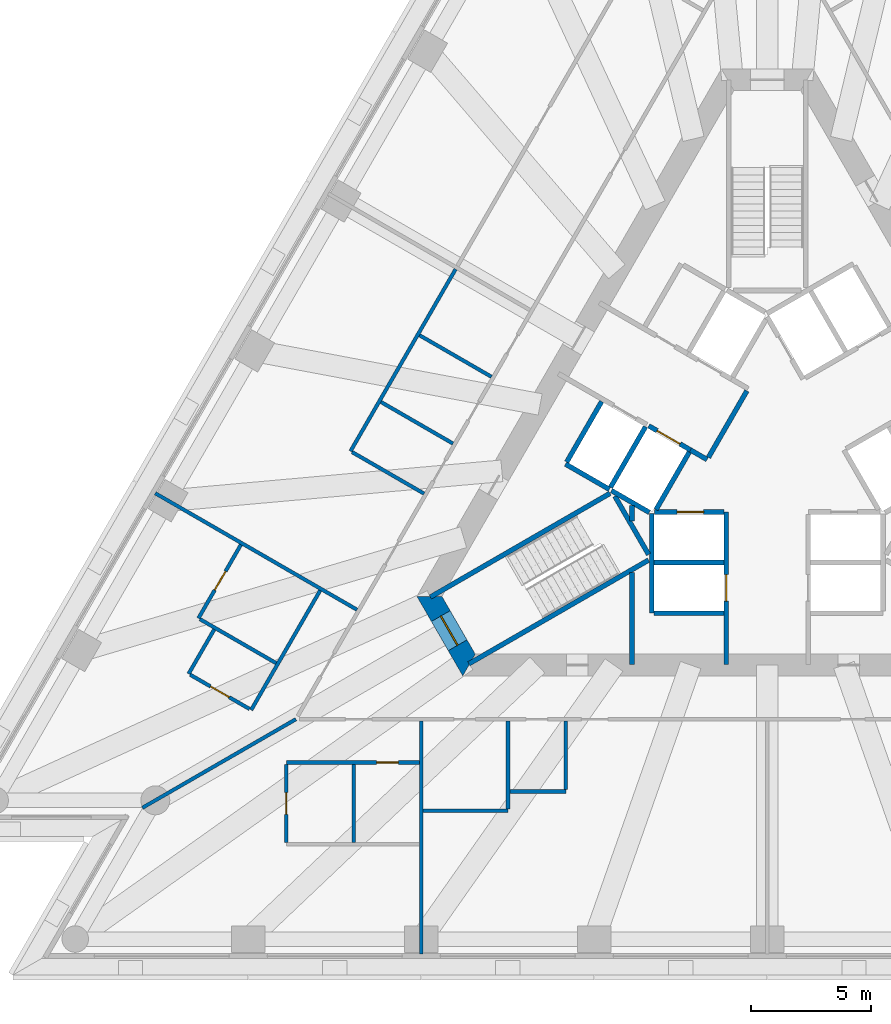
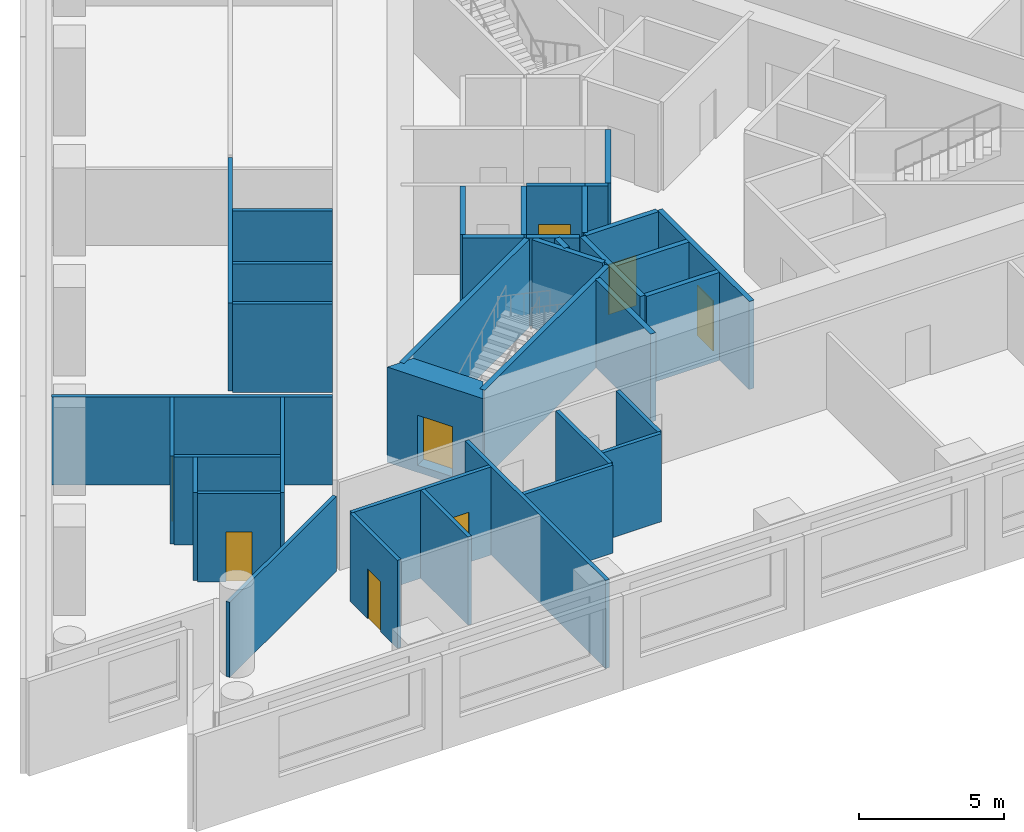
# One storey, part 3 of 11: 38 walls, 8 doors, 8 openings.
"""IFC4 building model written with IfcOpenShell, lengths in metres."""

from ifc_helpers import new_model, si_unit, direction, frame, frame_2d, origin, place, context, subcontext, project, spatial, polyline, rectangle, outline, extrude, material, layer, layer_set, type_object, element, fill, save


model = new_model("IFC4")

# Units and contexts
model_context = context("Model", 3, precision=1e-05, world=origin(), true_north=direction((0.0, 1.0)))
body_context = subcontext(model_context, "Body", "Model", "MODEL_VIEW")
ifc_project = project(units=[si_unit("LENGTHUNIT", "METRE"), si_unit("AREAUNIT", "SQUARE_METRE"), si_unit("VOLUMEUNIT", "CUBIC_METRE"), si_unit("PLANEANGLEUNIT", "RADIAN"), si_unit("MASSUNIT", "GRAM", prefix="KILO")], contexts=[model_context])

# Site, building, storey
site_placement = place(None, origin())
site = spatial("IfcSite", under=ifc_project, at=site_placement, CompositionType="ELEMENT")
building_placement = place(site_placement, origin())
building = spatial("IfcBuilding", under=site, at=building_placement, Name="Triada Interchange Tower", CompositionType="ELEMENT")
storey_placement = place(building_placement, frame((0.0, 0.0, 83.300048828125)))
storey = spatial("IfcBuildingStorey", under=building, at=storey_placement, Name="L18", CompositionType="ELEMENT", Elevation=83.300048828125)

# Walls
ifc_material_1 = material(Name="Concrete C30/37", Category="concrete")
ifc_layer_1 = layer(ifc_material_1, 0.199951171875)
ifc_layer_set_1 = layer_set([ifc_layer_1], Name="CORE WALL 200 EI 120")
wall_type_1 = type_object("IfcWallType", Name="CORE WALL 200 EI 120", PredefinedType="SOLIDWALL", material=ifc_layer_set_1)
wall_1_placement = place(storey_placement, frame((-8.3759765625, -0.70703125, 0.0), z_axis=(0.0, 0.0, 1.0), x_axis=(0.866067520717, -0.499927044236, 0.0)))
element("IfcWall", 1, at=wall_1_placement, inside=storey, type_object=wall_type_1, Name="Wall L18 42", PredefinedType="SOLIDWALL", context=body_context, shape_type="SweptSolid", body=[
    extrude(rectangle(XDim=2.100341796875, YDim=0.199951171875, at=frame_2d((1.05029296875, 0.0))), origin(), (0.0, 0.0, 1.0), 3.699951171875),
])
wall_2_placement = place(storey_placement, frame((-8.325927734375, -0.6201171875, 0.0), z_axis=(0.0, 0.0, 1.0), x_axis=(0.500023687443, 0.866011727401, 0.0)))
element("IfcWall", 2, at=wall_2_placement, inside=storey, type_object=wall_type_1, Name="Wall L18 43", PredefinedType="SOLIDWALL", context=body_context, shape_type="SweptSolid", body=[
    extrude(rectangle(XDim=2.899658203125, YDim=0.199951171875, at=frame_2d((1.44970703125, 0.0))), origin(), (0.0, 0.0, 1.0), 3.699951171875),
])
wall_3_placement = place(storey_placement, frame((-4.699951171875, -4.800048828125, 0.0), z_axis=(0.0, 0.0, 1.0), x_axis=(1.0, 0.0, 0.0)))
element("IfcWall", 3, at=wall_3_placement, inside=storey, type_object=wall_type_1, Name="Wall L18 44", PredefinedType="SOLIDWALL", context=body_context, shape_type="SweptSolid", body=[
    extrude(rectangle(XDim=2.89990234375, YDim=0.199951171875, at=frame_2d((1.449951171875, 0.0))), origin(), (0.0, 0.0, 1.0), 3.699951171875),
])
wall_4_placement = place(storey_placement, frame((-4.800048828125, -6.89990234375, 0.0), z_axis=(0.0, 0.0, 1.0), x_axis=(0.0, 1.0, 0.0)))
element("IfcWall", 4, at=wall_4_placement, inside=storey, type_object=wall_type_1, Name="Wall L18 46", PredefinedType="SOLIDWALL", context=body_context, shape_type="SweptSolid", body=[
    extrude(rectangle(XDim=4.130859375, YDim=0.199951171875, at=frame_2d((2.0654296875, 0.0))), origin(), (0.0, 0.0, 1.0), 3.699951171875),
])
wall_5_placement = place(storey_placement, frame((-4.699951171875, -6.89990234375, 0.0), z_axis=(0.0, 0.0, 1.0), x_axis=(1.0, 0.0, 0.0)))
element("IfcWall", 5, at=wall_5_placement, inside=storey, type_object=wall_type_1, Name="Wall L18 47", PredefinedType="SOLIDWALL", context=body_context, shape_type="SweptSolid", body=[
    extrude(rectangle(XDim=2.89990234375, YDim=0.199951171875, at=frame_2d((1.449951171875, 0.0))), origin(), (0.0, 0.0, 1.0), 3.699951171875),
])

# Wall, opening, door
wall_6_placement = place(storey_placement, frame((-1.699951171875, -9.030029296875, 0.0), z_axis=(0.0, 0.0, 1.0), x_axis=(0.0, 1.0, 0.0)))
wall_6 = element("IfcWall", 6, at=wall_6_placement, inside=storey, type_object=wall_type_1, Name="Wall L18 49", PredefinedType="SOLIDWALL", context=body_context, shape_type="SweptSolid", body=[
    extrude(rectangle(XDim=6.3271484375, YDim=0.199951171875, at=frame_2d((3.16357421875, 0.0))), origin(), (0.0, 0.0, 1.0), 3.699951171875),
])
opening_1_placement = place(wall_6_placement, frame((2.6298828125, 0.0, 0.0)))
opening_1 = element("IfcOpeningElement", 7, at=opening_1_placement, cuts=wall_6, Name="Opening LD-LR4", PredefinedType="OPENING", context=body_context, shape_type="SweptSolid", body=[
    extrude(rectangle(XDim=1.10009765625, YDim=2.10009765625, at=frame_2d((0.550048828125, 1.050048828125))), frame((0.0, 0.10986328125, 0.0), z_axis=(0.0, -1.0, 0.0), x_axis=(1.0, 0.0, 0.0)), (0.0, 0.0, 1.0), 0.219970703125),
])
ifc_material_2 = material(Name="Steel S235 door leaf", Category="steel")
door_type_1 = type_object("IfcDoorType", Name="LIFT LANDING DOOR 1100 EI 120", OperationType="SLIDING_TO_LEFT", PredefinedType="DOOR", material=ifc_material_2)
door_1_placement = place(opening_1_placement, origin())
door_1 = element("IfcDoor", 8, at=door_1_placement, inside=storey, type_object=door_type_1, Name="LR4 landing door L18", OperationType="SLIDING_TO_LEFT", OverallHeight=2.10009765625, OverallWidth=1.10009765625, PredefinedType="DOOR", context=body_context, shape_type="SweptSolid", body=[
    extrude(rectangle(XDim=1.10009765625, YDim=2.10009765625, at=frame_2d((0.550048828125, 1.050048828125))), frame((0.0, 0.02490234375, 0.0), z_axis=(0.0, -1.0, 0.0), x_axis=(1.0, 0.0, 0.0)), (0.0, 0.0, 1.0), 0.050048828125),
])
fill(opening_1, door_1)

wall_7_placement = place(storey_placement, frame((-4.676025390625, -2.699951171875, 0.0), z_axis=(0.0, 0.0, 1.0), x_axis=(1.0, 0.0, 0.0)))
wall_7 = element("IfcWall", 9, at=wall_7_placement, inside=storey, type_object=wall_type_1, Name="Wall L18 50", PredefinedType="SOLIDWALL", context=body_context, shape_type="SweptSolid", body=[
    extrude(rectangle(XDim=2.873046875, YDim=0.199951171875, at=frame_2d((1.4365234375, 0.0))), origin(), (0.0, 0.0, 1.0), 3.699951171875),
])
opening_2_placement = place(wall_7_placement, frame((0.93701171875, 0.0, 0.0)))
opening_2 = element("IfcOpeningElement", 10, at=opening_2_placement, cuts=wall_7, Name="Opening LD-LR3", PredefinedType="OPENING", context=body_context, shape_type="SweptSolid", body=[
    extrude(rectangle(XDim=1.10009765625, YDim=2.10009765625, at=frame_2d((0.550048828125, 1.050048828125))), frame((0.0, 0.10986328125, 0.0), z_axis=(0.0, -1.0, 0.0), x_axis=(1.0, 0.0, 0.0)), (0.0, 0.0, 1.0), 0.219970703125),
])
door_2_placement = place(opening_2_placement, origin())
door_2 = element("IfcDoor", 11, at=door_2_placement, inside=storey, type_object=door_type_1, Name="LR3 landing door L18", OperationType="SLIDING_TO_LEFT", OverallHeight=2.10009765625, OverallWidth=1.10009765625, PredefinedType="DOOR", context=body_context, shape_type="SweptSolid", body=[
    extrude(rectangle(XDim=1.10009765625, YDim=2.10009765625, at=frame_2d((0.550048828125, 1.050048828125))), frame((0.0, 0.02490234375, 0.0), z_axis=(0.0, -1.0, 0.0), x_axis=(1.0, 0.0, 0.0)), (0.0, 0.0, 1.0), 0.050048828125),
])
fill(opening_2, door_2)

# Walls
ifc_layer_2 = layer(ifc_material_1, 0.199951171875)
ifc_layer_set_2 = layer_set([ifc_layer_2], Name="CORE WALL 200 EI 180")
wall_type_2 = type_object("IfcWallType", Name="CORE WALL 200 EI 180", PredefinedType="SOLIDWALL", material=ifc_layer_set_2)
wall_8_placement = place(storey_placement, frame((-3.18798828125, -0.1220703125, 0.0), z_axis=(0.0, 0.0, 1.0), x_axis=(0.865705793592, -0.50055317294, 0.0)))
element("IfcWall", 12, at=wall_8_placement, inside=storey, type_object=wall_type_2, Name="Wall L18 65", PredefinedType="SOLIDWALL", context=body_context, shape_type="SweptSolid", body=[
    extrude(rectangle(XDim=0.796875, YDim=0.199951171875, at=frame_2d((0.3984375, 0.0))), origin(), (0.0, 0.0, 1.0), 3.699951171875),
])
wall_9_placement = place(storey_placement, frame((-2.444091796875, -0.43310546875, 0.0), z_axis=(0.0, 0.0, 1.0), x_axis=(0.500035624827, 0.866004834804, 0.0)))
element("IfcWall", 13, at=wall_9_placement, inside=storey, type_object=wall_type_2, Name="Wall L18 70", PredefinedType="SOLIDWALL", context=body_context, shape_type="SweptSolid", body=[
    extrude(rectangle(XDim=3.194091796875, YDim=0.199951171875, at=frame_2d((1.59716796875, 0.0))), origin(), (0.0, 0.0, 1.0), 3.699951171875),
])
wall_10_placement = place(storey_placement, frame((-6.507080078125, -1.669921875, 0.0), z_axis=(0.0, 0.0, 1.0), x_axis=(0.50012328804, 0.865954211699, 0.0)))
element("IfcWall", 14, at=wall_10_placement, inside=storey, type_object=wall_type_2, Name="Shaft wall FF1 L18 71", PredefinedType="SOLIDWALL", context=body_context, shape_type="SweptSolid", body=[
    extrude(rectangle(XDim=2.899658203125, YDim=0.199951171875, at=frame_2d((1.44970703125, 0.0))), origin(), (0.0, 0.0, 1.0), 3.699951171875),
])
wall_11_placement = place(storey_placement, frame((-6.469970703125, -1.806884765625, 0.0), z_axis=(0.0, 0.0, 1.0), x_axis=(0.865883195159, -0.500246231712, 0.0)))
element("IfcWall", 15, at=wall_11_placement, inside=storey, type_object=wall_type_2, Name="Shaft wall FF1 L18 72", PredefinedType="SOLIDWALL", context=body_context, shape_type="SweptSolid", body=[
    extrude(rectangle(XDim=1.8154296875, YDim=0.199951171875, at=frame_2d((0.90771484375, 0.0))), origin(), (0.0, 0.0, 1.0), 3.699951171875),
])

# Wall, opening, door
wall_12_placement = place(storey_placement, frame((-4.922119140625, 0.87890625, 0.0), z_axis=(0.0, 0.0, 1.0), x_axis=(0.866073918653, -0.499915960366, 0.0)))
wall_12 = element("IfcWall", 16, at=wall_12_placement, inside=storey, type_object=wall_type_2, Name="Shaft wall FF1 L18 73", PredefinedType="SOLIDWALL", context=body_context, shape_type="SweptSolid", body=[
    extrude(rectangle(XDim=2.002197265625, YDim=0.199951171875, at=frame_2d((1.0009765625, 0.0))), origin(), (0.0, 0.0, 1.0), 3.699951171875),
])
opening_3_placement = place(wall_12_placement, frame((0.402099609375, 0.0, 0.0)))
opening_3 = element("IfcOpeningElement", 17, at=opening_3_placement, cuts=wall_12, Name="Opening LD-FF1", PredefinedType="OPENING", context=body_context, shape_type="SweptSolid", body=[
    extrude(rectangle(XDim=1.10009765625, YDim=2.10009765625, at=frame_2d((0.550048828125, 1.050048828125))), frame((0.0, 0.10986328125, 0.0), z_axis=(0.0, -1.0, 0.0), x_axis=(1.0, 0.0, 0.0)), (0.0, 0.0, 1.0), 0.219970703125),
])
door_3_placement = place(opening_3_placement, origin())
door_3 = element("IfcDoor", 18, at=door_3_placement, inside=storey, type_object=door_type_1, Name="FF1 landing door L18", OperationType="SLIDING_TO_LEFT", OverallHeight=2.10009765625, OverallWidth=1.10009765625, PredefinedType="DOOR", context=body_context, shape_type="SweptSolid", body=[
    extrude(rectangle(XDim=1.10009765625, YDim=2.10009765625, at=frame_2d((0.550048828125, 1.050048828125))), frame((0.0, 0.02490234375, 0.0), z_axis=(0.0, -1.0, 0.0), x_axis=(1.0, 0.0, 0.0)), (0.0, 0.0, 1.0), 0.050048828125),
])
fill(opening_3, door_3)

# Walls
wall_13_placement = place(storey_placement, frame((-4.618896484375, -2.60009765625, 0.0), z_axis=(0.0, 0.0, 1.0), x_axis=(0.50009492287, 0.865970593103, 0.0)))
element("IfcWall", 19, at=wall_13_placement, inside=storey, type_object=wall_type_2, Name="Shaft wall FF1 L18 74", PredefinedType="SOLIDWALL", context=body_context, shape_type="SweptSolid", body=[
    extrude(rectangle(XDim=2.76123046875, YDim=0.199951171875, at=frame_2d((1.380615234375, 0.0))), origin(), (0.0, 0.0, 1.0), 3.699951171875),
])
ifc_layer_3 = layer(ifc_material_1, 0.199951171875)
ifc_layer_set_3 = layer_set([ifc_layer_3], Name="CORE WALL 200 EI 90")
wall_type_3 = type_object("IfcWallType", Name="CORE WALL 200 EI 90", PredefinedType="SOLIDWALL", material=ifc_layer_set_3)
wall_14_placement = place(storey_placement, frame((-5.612060546875, -9.030029296875, 0.0), z_axis=(0.0, 0.0, 1.0), x_axis=(0.0, 1.0, 0.0)))
element("IfcWall", 20, at=wall_14_placement, inside=storey, type_object=wall_type_3, Name="Wall L18 79", PredefinedType="SOLIDWALL", context=body_context, shape_type="SweptSolid", body=[
    extrude(rectangle(XDim=3.8271484375, YDim=0.199951171875, at=frame_2d((1.91357421875, 0.0))), origin(), (0.0, 0.0, 1.0), 3.699951171875),
])
wall_15_placement = place(storey_placement, frame((-5.612060546875, -3.080078125, 0.0), z_axis=(0.0, 0.0, 1.0), x_axis=(0.0, 1.0, 0.0)))
element("IfcWall", 21, at=wall_15_placement, inside=storey, type_object=wall_type_3, Name="Wall L18 80", PredefinedType="SOLIDWALL", context=body_context, shape_type="SweptSolid", body=[
    extrude(rectangle(XDim=0.662109375, YDim=0.199951171875, at=frame_2d((0.3310546875, 0.0))), origin(), (0.0, 0.0, 1.0), 3.699951171875),
])
ifc_layer_4 = layer(ifc_material_1, 0.199951171875)
ifc_layer_set_4 = layer_set([ifc_layer_4], Name="CORE WALL 200 REI 240")
wall_type_4 = type_object("IfcWallType", Name="CORE WALL 200 REI 240", PredefinedType="SOLIDWALL", material=ifc_layer_set_4)
wall_16_placement = place(storey_placement, frame((-13.989990234375, -6.22900390625, 0.0), z_axis=(0.0, 0.0, 1.0), x_axis=(0.866060059011, 0.499939970583, 0.0)))
element("IfcWall", 22, at=wall_16_placement, inside=storey, type_object=wall_type_4, Name="Wall L18 81", PredefinedType="SOLIDWALL", context=body_context, shape_type="SweptSolid", body=[
    extrude(rectangle(XDim=8.61474609375, YDim=0.199951171875, at=frame_2d((4.307373046875, 0.0))), origin(), (0.0, 0.0, 1.0), 3.699951171875),
])
wall_17_placement = place(storey_placement, frame((-6.3291015625, -2.0380859375, 0.0), z_axis=(0.0, 0.0, 1.0), x_axis=(0.500200581029, -0.865909567298, 0.0)))
element("IfcWall", 23, at=wall_17_placement, inside=storey, type_object=wall_type_4, Name="Wall L18 82", PredefinedType="SOLIDWALL", context=body_context, shape_type="SweptSolid", body=[
    extrude(rectangle(XDim=2.799072265625, YDim=0.199951171875, at=frame_2d((1.3994140625, 0.0))), origin(), (0.0, 0.0, 1.0), 3.699951171875),
])
wall_18_placement = place(storey_placement, frame((-12.389892578125, -9.0009765625, 0.0), z_axis=(0.0, 0.0, 1.0), x_axis=(0.866010975815, 0.500024989144, 0.0)))
element("IfcWall", 24, at=wall_18_placement, inside=storey, type_object=wall_type_4, Name="Wall L18 83", PredefinedType="SOLIDWALL", context=body_context, shape_type="SweptSolid", body=[
    extrude(rectangle(XDim=8.615234375, YDim=0.199951171875, at=frame_2d((4.3076171875, 0.0))), origin(), (0.0, 0.0, 1.0), 3.699951171875),
])

# Wall, opening, door
ifc_material_3 = material(Name="Concrete C70/85", Category="concrete")
ifc_layer_5 = layer(ifc_material_3, 0.89990234375)
ifc_layer_set_5 = layer_set([ifc_layer_5], Name="Core wall A 900")
wall_type_5 = type_object("IfcWallType", Name="Core wall A 900", PredefinedType="SHEAR", material=ifc_layer_set_5)
wall_19_placement = place(storey_placement, frame((-14.030029296875, -6.199951171875, -0.300048828125), z_axis=(0.0, 0.0, 1.0), x_axis=(0.500111984565, -0.865960739811, 0.0)))
wall_19 = element("IfcWall", 25, at=wall_19_placement, inside=storey, type_object=wall_type_5, Name="Core wall WA03 L18", PredefinedType="SHEAR", context=body_context, shape_type="SweptSolid", body=[
    extrude(outline(polyline([(-0.260009765625, -0.448974609375), (1.6455078125, -0.449462890625), (3.551025390625, -0.449951171875), (3.031982421875, 0.449951171875), (1.64599609375, 0.449951171875), (0.260009765625, 0.449951171875), (-0.260009765625, -0.448974609375)])), origin(), (0.0, 0.0, 1.0), 4.0),
])
opening_4_placement = place(wall_19_placement, frame((0.946044921875, 0.0, 0.300048828125)))
opening_4 = element("IfcOpeningElement", 26, at=opening_4_placement, cuts=wall_19, Name="Opening D18-40", PredefinedType="OPENING", context=body_context, shape_type="SweptSolid", body=[
    extrude(rectangle(XDim=1.39990234375, YDim=2.10009765625, at=frame_2d((0.699951171875, 1.050048828125))), frame((0.0, 0.4599609375, 0.0), z_axis=(0.0, -1.0, 0.0), x_axis=(1.0, 0.0, 0.0)), (0.0, 0.0, 1.0), 0.919921875),
])
door_type_2 = type_object("IfcDoorType", Name="STAIR DOOR 1400 EI2 90-C5S200", OperationType="DOUBLE_DOOR_SINGLE_SWING", PredefinedType="DOOR", material=ifc_material_2)
door_4_placement = place(opening_4_placement, origin())
door_4 = element("IfcDoor", 27, at=door_4_placement, inside=storey, type_object=door_type_2, Name="Door D18-40 L18", OperationType="DOUBLE_DOOR_SINGLE_SWING", OverallHeight=2.10009765625, OverallWidth=1.39990234375, PredefinedType="DOOR", context=body_context, shape_type="SweptSolid", body=[
    extrude(rectangle(XDim=1.39990234375, YDim=2.10009765625, at=frame_2d((0.699951171875, 1.050048828125))), frame((0.0, 0.02490234375, 0.0), z_axis=(0.0, -1.0, 0.0), x_axis=(1.0, 0.0, 0.0)), (0.0, 0.0, 1.0), 0.050048828125),
])
fill(opening_4, door_4)

# Walls
ifc_material_4 = material(Name="Gypsum board partition")
ifc_layer_6 = layer(ifc_material_4, 0.14990234375)
ifc_layer_set_6 = layer_set([ifc_layer_6], Name="PARTITION 150 EI 180")
wall_type_6 = type_object("IfcWallType", Name="PARTITION 150 EI 180", PredefinedType="PARTITIONING", material=ifc_layer_set_6)
wall_20_placement = place(storey_placement, frame((-25.946044921875, -14.97998046875, 0.0), z_axis=(0.0, 0.0, 1.0), x_axis=(0.866032022822, 0.499988535315, 0.0)))
element("IfcWall", 28, at=wall_20_placement, inside=storey, type_object=wall_type_6, Name="Wall L18 1", PredefinedType="PARTITIONING", context=body_context, shape_type="SweptSolid", body=[
    extrude(rectangle(XDim=7.360107421875, YDim=0.14990234375, at=frame_2d((3.68017578125, 0.0))), origin(), (0.0, 0.0, 1.0), 3.14990234375),
])
wall_21_placement = place(storey_placement, frame((-25.4130859375, -1.91796875, 0.0), z_axis=(0.0, 0.0, 1.0), x_axis=(0.866035557451, -0.499982412921, 0.0)))
element("IfcWall", 29, at=wall_21_placement, inside=storey, type_object=wall_type_6, Name="Wall L18 2", PredefinedType="PARTITIONING", context=body_context, shape_type="SweptSolid", body=[
    extrude(rectangle(XDim=9.674072265625, YDim=0.14990234375, at=frame_2d((4.8369140625, 0.0))), origin(), (0.0, 0.0, 1.0), 3.699951171875),
])
wall_22_placement = place(storey_placement, frame((-17.303955078125, -0.1708984375, 0.0), z_axis=(0.0, 0.0, 1.0), x_axis=(0.500054279689, 0.865994063124, 0.0)))
element("IfcWall", 30, at=wall_22_placement, inside=storey, type_object=wall_type_6, Name="Wall L18 7", PredefinedType="PARTITIONING", context=body_context, shape_type="SweptSolid", body=[
    extrude(rectangle(XDim=8.72509765625, YDim=0.14990234375, at=frame_2d((4.362548828125, 0.0))), origin(), (0.0, 0.0, 1.0), 3.699951171875),
])
for number, where, z_axis, x_axis, name in (
    (31, (-17.239013671875, -0.208984375, 0.0), (0.0, 0.0, 1.0), (0.866031223622, -0.49998991961, 0.0), "Wall L18 8"),
    (32, (-16.0390625, 1.8701171875, 0.0), (0.0, 0.0, 1.0), (0.866031223622, -0.49998991961, 0.0), "Wall L18 9"),
    (33, (-14.43896484375, 4.64111328125, 0.0), (0.0, 0.0, 1.0), (0.866031223622, -0.49998991961, 0.0), "Wall L18 10"),
):
    element("IfcWall", number, at=place(storey_placement, frame(where, z_axis=z_axis, x_axis=x_axis)), inside=storey, type_object=wall_type_6, Name=name, PredefinedType="PARTITIONING", context=body_context, shape_type="SweptSolid", body=[
        extrude(rectangle(XDim=3.4501953125, YDim=0.14990234375, at=frame_2d((1.72509765625, 0.0))), origin(), (0.0, 0.0, 1.0), 3.699951171875),
    ])
wall_23_placement = place(storey_placement, frame((-14.366943359375, -21.049072265625, 0.0), z_axis=(0.0, 0.0, 1.0), x_axis=(0.0, 1.0, 0.0)))
element("IfcWall", 34, at=wall_23_placement, inside=storey, type_object=wall_type_6, Name="Wall L18 11", PredefinedType="PARTITIONING", context=body_context, shape_type="SweptSolid", body=[
    extrude(rectangle(XDim=9.674072265625, YDim=0.14990234375, at=frame_2d((4.8369140625, 0.0))), origin(), (0.0, 0.0, 1.0), 3.699951171875),
])
wall_24_placement = place(storey_placement, frame((-14.2919921875, -15.10009765625, 0.0), z_axis=(0.0, 0.0, 1.0), x_axis=(1.0, 0.0, 0.0)))
element("IfcWall", 35, at=wall_24_placement, inside=storey, type_object=wall_type_6, Name="Wall L18 12", PredefinedType="PARTITIONING", context=body_context, shape_type="SweptSolid", body=[
    extrude(rectangle(XDim=3.52490234375, YDim=0.14990234375, at=frame_2d((1.762451171875, 0.0))), origin(), (0.0, 0.0, 1.0), 3.699951171875),
])
wall_25_placement = place(storey_placement, frame((-10.76708984375, -15.02490234375, 0.0), z_axis=(0.0, 0.0, 1.0), x_axis=(0.0, 1.0, 0.0)))
element("IfcWall", 36, at=wall_25_placement, inside=storey, type_object=wall_type_6, Name="Wall L18 13", PredefinedType="PARTITIONING", context=body_context, shape_type="SweptSolid", body=[
    extrude(rectangle(XDim=3.64990234375, YDim=0.14990234375, at=frame_2d((1.824951171875, 0.0))), origin(), (0.0, 0.0, 1.0), 3.699951171875),
])
wall_26_placement = place(storey_placement, frame((-10.69189453125, -14.300048828125, 0.0), z_axis=(0.0, 0.0, 1.0), x_axis=(1.0, 0.0, 0.0)))
element("IfcWall", 37, at=wall_26_placement, inside=storey, type_object=wall_type_6, Name="Wall L18 15", PredefinedType="PARTITIONING", context=body_context, shape_type="SweptSolid", body=[
    extrude(rectangle(XDim=2.324951171875, YDim=0.14990234375, at=frame_2d((1.16259765625, 0.0))), origin(), (0.0, 0.0, 1.0), 3.699951171875),
])
wall_27_placement = place(storey_placement, frame((-8.366943359375, -14.22509765625, 0.0), z_axis=(0.0, 0.0, 1.0), x_axis=(0.0, 1.0, 0.0)))
element("IfcWall", 38, at=wall_27_placement, inside=storey, type_object=wall_type_6, Name="Wall L18 16", PredefinedType="PARTITIONING", context=body_context, shape_type="SweptSolid", body=[
    extrude(rectangle(XDim=2.85009765625, YDim=0.14990234375, at=frame_2d((1.425048828125, 0.0))), origin(), (0.0, 0.0, 1.0), 3.699951171875),
])
ifc_layer_7 = layer(ifc_material_4, 0.14990234375)
ifc_layer_set_7 = layer_set([ifc_layer_7], Name="PARTITION 150 EI 90")
wall_type_7 = type_object("IfcWallType", Name="PARTITION 150 EI 90", PredefinedType="PARTITIONING", material=ifc_layer_set_7)
wall_28_placement = place(storey_placement, frame((-21.428955078125, -10.916015625, 0.0), z_axis=(0.0, 0.0, 1.0), x_axis=(0.500069422629, 0.865985318901, 0.0)))
element("IfcWall", 39, at=wall_28_placement, inside=storey, type_object=wall_type_7, Name="Wall L18 28", PredefinedType="PARTITIONING", context=body_context, shape_type="SweptSolid", body=[
    extrude(rectangle(XDim=5.725341796875, YDim=0.14990234375, at=frame_2d((2.86279296875, 0.0))), origin(), (0.0, 0.0, 1.0), 3.699951171875),
])

# Wall, opening, door
wall_29_placement = place(storey_placement, frame((-23.6201171875, -7.110107421875, 0.0), z_axis=(0.0, 0.0, 1.0), x_axis=(0.500236053335, 0.865889075427, 0.0)))
wall_29 = element("IfcWall", 40, at=wall_29_placement, inside=storey, type_object=wall_type_7, Name="Wall L18 29", PredefinedType="PARTITIONING", context=body_context, shape_type="SweptSolid", body=[
    extrude(rectangle(XDim=3.524658203125, YDim=0.14990234375, at=frame_2d((1.76220703125, 0.0))), origin(), (0.0, 0.0, 1.0), 3.699951171875),
])
opening_5_placement = place(wall_29_placement, frame((1.35009765625, 0.0, 0.0)))
opening_5 = element("IfcOpeningElement", 41, at=opening_5_placement, cuts=wall_29, Name="Opening D18-36", PredefinedType="OPENING", context=body_context, shape_type="SweptSolid", body=[
    extrude(rectangle(XDim=0.89990234375, YDim=2.10009765625, at=frame_2d((0.449951171875, 1.050048828125))), frame((0.0, 0.0849609375, 0.0), z_axis=(0.0, -1.0, 0.0), x_axis=(1.0, 0.0, 0.0)), (0.0, 0.0, 1.0), 0.169921875),
])
door_type_3 = type_object("IfcDoorType", Name="ROOM DOOR 900 EI2 45-C5S200", OperationType="NOTDEFINED", PredefinedType="DOOR", material=ifc_material_2)
door_5_placement = place(opening_5_placement, origin())
door_5 = element("IfcDoor", 42, at=door_5_placement, inside=storey, type_object=door_type_3, Name="Door D18-36 L18", OperationType="SINGLE_SWING_LEFT", OverallHeight=2.10009765625, OverallWidth=0.89990234375, PredefinedType="DOOR", context=body_context, shape_type="SweptSolid", body=[
    extrude(rectangle(XDim=0.89990234375, YDim=2.10009765625, at=frame_2d((0.449951171875, 1.050048828125))), frame((0.0, 0.02490234375, 0.0), z_axis=(0.0, -1.0, 0.0), x_axis=(1.0, 0.0, 0.0)), (0.0, 0.0, 1.0), 0.050048828125),
])
fill(opening_5, door_5)

# Walls
wall_30_placement = place(storey_placement, frame((-23.554931640625, -7.14794921875, 0.0), z_axis=(0.0, 0.0, 1.0), x_axis=(0.866024069551, -0.500002310952, 0.0)))
element("IfcWall", 43, at=wall_30_placement, inside=storey, type_object=wall_type_7, Name="Wall L18 30", PredefinedType="PARTITIONING", context=body_context, shape_type="SweptSolid", body=[
    extrude(rectangle(XDim=3.64990234375, YDim=0.14990234375, at=frame_2d((1.824951171875, 0.0))), origin(), (0.0, 0.0, 1.0), 3.699951171875),
])
wall_31_placement = place(storey_placement, frame((-24.027099609375, -9.416015625, 0.0), z_axis=(0.0, 0.0, 1.0), x_axis=(0.500017365573, 0.866015377534, 0.0)))
element("IfcWall", 44, at=wall_31_placement, inside=storey, type_object=wall_type_7, Name="Wall L18 31", PredefinedType="PARTITIONING", context=body_context, shape_type="SweptSolid", body=[
    extrude(rectangle(XDim=2.1259765625, YDim=0.14990234375, at=frame_2d((1.06298828125, 0.0))), origin(), (0.0, 0.0, 1.0), 3.699951171875),
])

# Wall, opening, door
wall_32_placement = place(storey_placement, frame((-23.9619140625, -9.452880859375, 0.0), z_axis=(0.0, 0.0, 1.0), x_axis=(0.866004402611, -0.500036373335, 0.0)))
wall_32 = element("IfcWall", 45, at=wall_32_placement, inside=storey, type_object=wall_type_7, Name="Wall L18 32", PredefinedType="PARTITIONING", context=body_context, shape_type="SweptSolid", body=[
    extrude(rectangle(XDim=2.849853515625, YDim=0.14990234375, at=frame_2d((1.4248046875, 0.0))), origin(), (0.0, 0.0, 1.0), 3.699951171875),
])
opening_6_placement = place(wall_32_placement, frame((0.97509765625, 0.0, 0.0)))
opening_6 = element("IfcOpeningElement", 46, at=opening_6_placement, cuts=wall_32, Name="Opening D18-37", PredefinedType="OPENING", context=body_context, shape_type="SweptSolid", body=[
    extrude(rectangle(XDim=0.89990234375, YDim=2.10009765625, at=frame_2d((0.449951171875, 1.050048828125))), frame((0.0, 0.0849609375, 0.0), z_axis=(0.0, -1.0, 0.0), x_axis=(1.0, 0.0, 0.0)), (0.0, 0.0, 1.0), 0.169921875),
])
door_type_4 = type_object("IfcDoorType", Name="SERVICE DOOR 900 EI2 45-C5S200", OperationType="NOTDEFINED", PredefinedType="DOOR", material=ifc_material_2)
door_6_placement = place(opening_6_placement, origin())
door_6 = element("IfcDoor", 47, at=door_6_placement, inside=storey, type_object=door_type_4, Name="Door D18-37 L18", OperationType="SINGLE_SWING_RIGHT", OverallHeight=2.10009765625, OverallWidth=0.89990234375, PredefinedType="DOOR", context=body_context, shape_type="SweptSolid", body=[
    extrude(rectangle(XDim=0.89990234375, YDim=2.10009765625, at=frame_2d((0.449951171875, 1.050048828125))), frame((0.0, 0.02490234375, 0.0), z_axis=(0.0, -1.0, 0.0), x_axis=(1.0, 0.0, 0.0)), (0.0, 0.0, 1.0), 0.050048828125),
])
fill(opening_6, door_6)

# Wall
wall_33_placement = place(storey_placement, frame((-17.1669921875, -16.425048828125, 0.0), z_axis=(0.0, 0.0, 1.0), x_axis=(0.0, 1.0, 0.0)))
element("IfcWall", 48, at=wall_33_placement, inside=storey, type_object=wall_type_7, Name="Wall L18 34", PredefinedType="PARTITIONING", context=body_context, shape_type="SweptSolid", body=[
    extrude(rectangle(XDim=3.25, YDim=0.14990234375, at=frame_2d((1.625, 0.0))), origin(), (0.0, 0.0, 1.0), 3.699951171875),
])

# Wall, opening, door
wall_34_placement = place(storey_placement, frame((-19.967041015625, -13.10009765625, 0.0), z_axis=(0.0, 0.0, 1.0), x_axis=(1.0, 0.0, 0.0)))
wall_34 = element("IfcWall", 49, at=wall_34_placement, inside=storey, type_object=wall_type_7, Name="Wall L18 35", PredefinedType="PARTITIONING", context=body_context, shape_type="SweptSolid", body=[
    extrude(rectangle(XDim=5.525146484375, YDim=0.14990234375, at=frame_2d((2.7626953125, 0.0))), origin(), (0.0, 0.0, 1.0), 3.699951171875),
])
opening_7_placement = place(wall_34_placement, frame((3.75, 0.0, 0.0)))
opening_7 = element("IfcOpeningElement", 50, at=opening_7_placement, cuts=wall_34, Name="Opening D18-12", PredefinedType="OPENING", context=body_context, shape_type="SweptSolid", body=[
    extrude(rectangle(XDim=0.89990234375, YDim=2.10009765625, at=frame_2d((0.449951171875, 1.050048828125))), frame((0.0, 0.0849609375, 0.0), z_axis=(0.0, -1.0, 0.0), x_axis=(1.0, 0.0, 0.0)), (0.0, 0.0, 1.0), 0.169921875),
])
door_7_placement = place(opening_7_placement, origin())
door_7 = element("IfcDoor", 51, at=door_7_placement, inside=storey, type_object=door_type_3, Name="Door D18-12 L18", OperationType="SINGLE_SWING_LEFT", OverallHeight=2.10009765625, OverallWidth=0.89990234375, PredefinedType="DOOR", context=body_context, shape_type="SweptSolid", body=[
    extrude(rectangle(XDim=0.89990234375, YDim=2.10009765625, at=frame_2d((0.449951171875, 1.050048828125))), frame((0.0, 0.02490234375, 0.0), z_axis=(0.0, -1.0, 0.0), x_axis=(1.0, 0.0, 0.0)), (0.0, 0.0, 1.0), 0.050048828125),
])
fill(opening_7, door_7)

wall_35_placement = place(storey_placement, frame((-19.967041015625, -16.425048828125, 0.0), z_axis=(0.0, 0.0, 1.0), x_axis=(0.0, 1.0, 0.0)))
wall_35 = element("IfcWall", 52, at=wall_35_placement, inside=storey, type_object=wall_type_7, Name="Wall L18 36", PredefinedType="PARTITIONING", context=body_context, shape_type="SweptSolid", body=[
    extrude(rectangle(XDim=3.25, YDim=0.14990234375, at=frame_2d((1.625, 0.0))), origin(), (0.0, 0.0, 1.0), 3.699951171875),
])
opening_8_placement = place(wall_35_placement, frame((1.175048828125, 0.0, 0.0)))
opening_8 = element("IfcOpeningElement", 53, at=opening_8_placement, cuts=wall_35, Name="Opening D18-13", PredefinedType="OPENING", context=body_context, shape_type="SweptSolid", body=[
    extrude(rectangle(XDim=0.89990234375, YDim=2.10009765625, at=frame_2d((0.449951171875, 1.050048828125))), frame((0.0, 0.0849609375, 0.0), z_axis=(0.0, -1.0, 0.0), x_axis=(1.0, 0.0, 0.0)), (0.0, 0.0, 1.0), 0.169921875),
])
door_8_placement = place(opening_8_placement, origin())
door_8 = element("IfcDoor", 54, at=door_8_placement, inside=storey, type_object=door_type_3, Name="Door D18-13 L18", OperationType="SINGLE_SWING_LEFT", OverallHeight=2.10009765625, OverallWidth=0.89990234375, PredefinedType="DOOR", context=body_context, shape_type="SweptSolid", body=[
    extrude(rectangle(XDim=0.89990234375, YDim=2.10009765625, at=frame_2d((0.449951171875, 1.050048828125))), frame((0.0, 0.02490234375, 0.0), z_axis=(0.0, -1.0, 0.0), x_axis=(1.0, 0.0, 0.0)), (0.0, 0.0, 1.0), 0.050048828125),
])
fill(opening_8, door_8)

save(model, "model.ifc")
